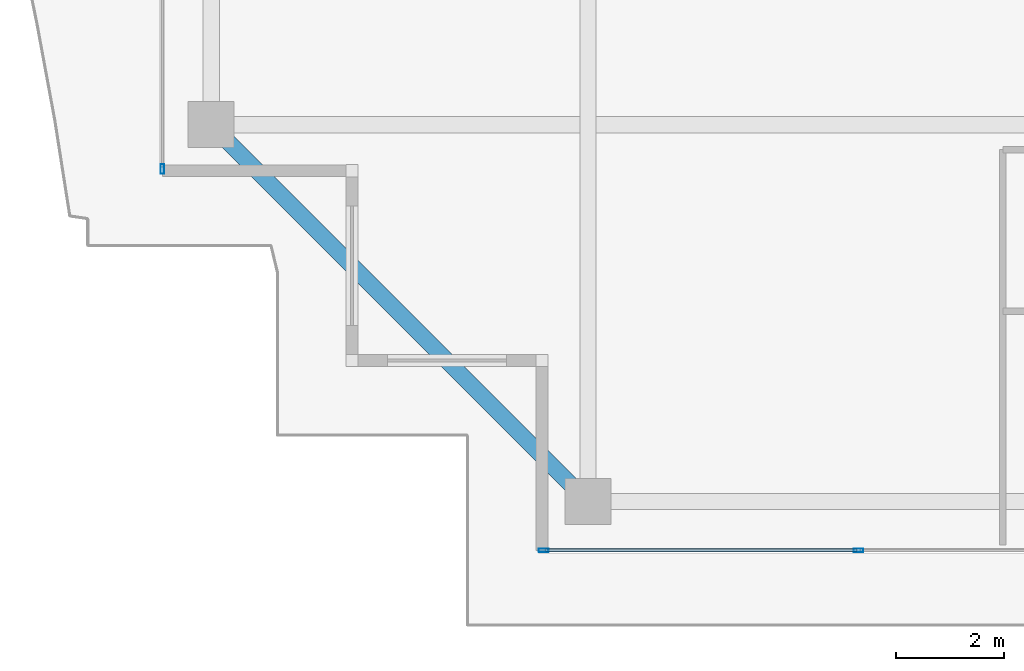
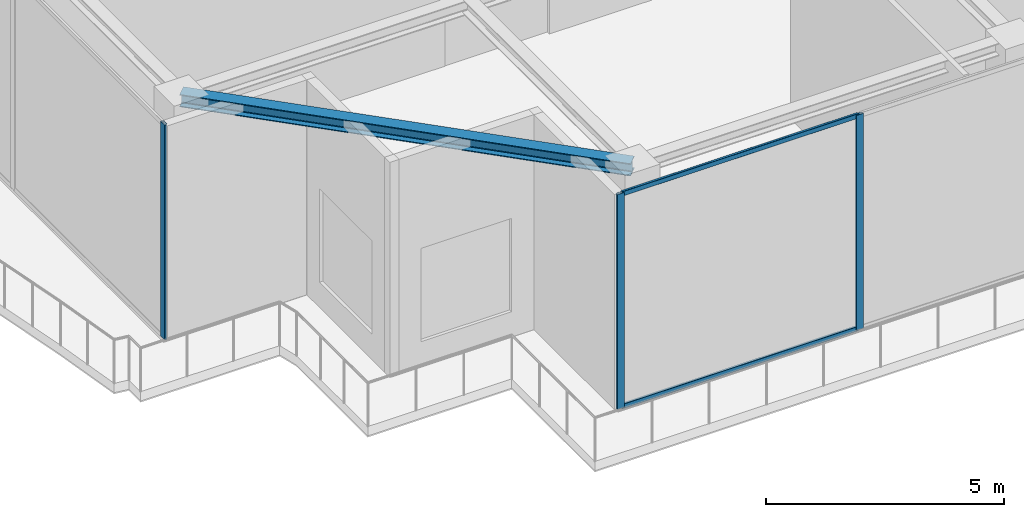
# One storey, part 2 of 38: 5 members, 1 beam, 2 elements without a shape of their own.
"""IFC4 building model written with IfcOpenShell, lengths in metres."""

import ifcopenshell
import ifcopenshell.guid

model = None  # the IFC model being written
_history = None  # IfcOwnerHistory: only IFC2X3 demands one
_inside = {}  # id of a spatial element -> (the spatial element, [elements in it])
_under = {}  # id of a project, library or spatial element -> (it, [spatial elements below it])
_declared = {}  # id of a project -> (the project, [libraries it declares])
_typed = {}  # id of a type object -> (the type object, [elements of that type])
_made_of = {}  # id of a material, layer set ... -> (it, [elements and type objects made of it])


def new_model(schema):
    """Start an empty IFC model of exactly this schema.

    Asked for "IFC4X3", IfcOpenShell would pick the latest addendum, in which some entities
    have other attributes; the version numbers below select the first issue.
    IFC2X3 requires an IfcOwnerHistory on every rooted entity: one is made here for all.
    """
    global model, _history
    if schema == "IFC4X3":
        model = ifcopenshell.file(schema_version=(4, 3, 0, 0))
    else:
        model = ifcopenshell.file(schema=schema)
    _inside.clear()
    _under.clear()
    _declared.clear()
    _typed.clear()
    _made_of.clear()
    _history = None
    if model.schema == "IFC2X3":
        org = make("IfcOrganization", Name="unknown")
        user = make(
            "IfcPersonAndOrganization",
            ThePerson=make("IfcPerson", FamilyName="unknown"),
            TheOrganization=org,
        )
        app = make(
            "IfcApplication",
            ApplicationDeveloper=org,
            Version="unknown",
            ApplicationFullName="unknown",
            ApplicationIdentifier="unknown",
        )
        _history = make(
            "IfcOwnerHistory",
            OwningUser=user,
            OwningApplication=app,
            ChangeAction="ADDED",
            CreationDate=0,
        )
    return model


def make(cls, **values):
    """One entity of the class cls with the attributes given. An attribute that is None is left unset."""
    return model.create_entity(
        cls, **{name: value for name, value in values.items() if value is not None}
    )


def rooted(cls, **values):
    """An entity with a GlobalId (a new one), such as an element, a storey or a relation."""
    return make(cls, GlobalId=ifcopenshell.guid.new(), OwnerHistory=_history, **values)


def si_unit(unit_type, name, prefix=None):
    """IfcSIUnit, for example si_unit("LENGTHUNIT", "METRE", prefix="MILLI")."""
    return make("IfcSIUnit", UnitType=unit_type, Prefix=prefix, Name=name)


def assignment(units):
    """IfcUnitAssignment: the units of a project."""
    return None if units is None else make("IfcUnitAssignment", Units=units)


def point(xyz):
    """IfcCartesianPoint."""
    return None if xyz is None else make("IfcCartesianPoint", Coordinates=xyz)


def direction(xyz):
    """IfcDirection."""
    return None if xyz is None else make("IfcDirection", DirectionRatios=xyz)


def frame(location, z_axis=None, x_axis=None):
    """IfcAxis2Placement3D, a coordinate frame: its origin and axes. An axis left out is left unset."""
    return make(
        "IfcAxis2Placement3D",
        Location=point(location),
        Axis=direction(z_axis),
        RefDirection=direction(x_axis),
    )


def frame_2d(location, x_axis=None):
    """IfcAxis2Placement2D, a coordinate frame in the plane: its origin and x axis."""
    return make(
        "IfcAxis2Placement2D", Location=point(location), RefDirection=direction(x_axis)
    )


def origin():
    """The frame at (0, 0, 0) with its axes left unset."""
    return frame((0.0, 0.0, 0.0))


def origin_2d():
    """The frame at (0, 0) in the plane with its x axis left unset."""
    return frame_2d((0.0, 0.0))


def place(relative_to, where):
    """IfcLocalPlacement: puts the frame where relative to a parent placement (None: the world)."""
    return make(
        "IfcLocalPlacement", PlacementRelTo=relative_to, RelativePlacement=where
    )


def context(
    kind, dimensions, precision=None, world=None, true_north=None, identifier=None
):
    """IfcGeometricRepresentationContext, for example the 3D "Model" context."""
    return make(
        "IfcGeometricRepresentationContext",
        ContextIdentifier=identifier,
        ContextType=kind,
        CoordinateSpaceDimension=dimensions,
        Precision=precision,
        WorldCoordinateSystem=world,
        TrueNorth=true_north,
    )


def subcontext(parent, identifier, kind, view, scale=None):
    """IfcGeometricRepresentationSubContext, for example "Body" below "Model"."""
    return make(
        "IfcGeometricRepresentationSubContext",
        ContextIdentifier=identifier,
        ContextType=kind,
        ParentContext=parent,
        TargetScale=scale,
        TargetView=view,
    )


def project(units=None, contexts=None):
    """IfcProject with its units and contexts."""
    return rooted(
        "IfcProject",
        Name="project",
        RepresentationContexts=contexts,
        UnitsInContext=assignment(units),
    )


def spatial(cls, under=None, at=None, **own):
    """A site, building, storey or space (cls), placed at a placement, below another one or the project."""
    s = rooted(cls, ObjectPlacement=at, **own)
    if under is not None:
        _under.setdefault(under.id(), (under, []))[1].append(s)
    return s


def profile(cls, at=None, kind="AREA", **sizes):
    """A parametric profile (cls). Its sizes go by their IFC names, for example OverallWidth=200.0."""
    return make(cls, ProfileType=kind, Position=at, **sizes)


def hollow_rectangle(**sizes):
    """IfcRectangleHollowProfileDef."""
    return profile("IfcRectangleHollowProfileDef", **sizes)


def i_section(**sizes):
    """IfcIShapeProfileDef."""
    return profile("IfcIShapeProfileDef", **sizes)


def extrude(swept, where, along, depth):
    """IfcExtrudedAreaSolid: the profile swept, set in the frame where, extruded along a direction by depth."""
    return make(
        "IfcExtrudedAreaSolid",
        SweptArea=swept,
        Position=where,
        ExtrudedDirection=direction(along),
        Depth=depth,
    )


def shape(context_of_items, identifier, shape_type, items):
    """IfcShapeRepresentation: the items that make up one representation, for example the "Body"."""
    return make(
        "IfcShapeRepresentation",
        ContextOfItems=context_of_items,
        RepresentationIdentifier=identifier,
        RepresentationType=shape_type,
        Items=items,
    )


def source(mapping_origin, context_of_items, identifier, shape_type, items):
    """IfcRepresentationMap: a shape defined once, which mapped items show again and again."""
    return make(
        "IfcRepresentationMap",
        MappingOrigin=mapping_origin,
        MappedRepresentation=shape(context_of_items, identifier, shape_type, items),
    )


def transform(
    local_origin,
    x_axis=None,
    y_axis=None,
    z_axis=None,
    scale=None,
    scale2=None,
    scale3=None,
    uniform=True,
):
    """IfcCartesianTransformationOperator3D, or its non-uniform kind. x_axis, y_axis, z_axis: its Axis1, 2, 3."""
    if uniform:
        return make(
            "IfcCartesianTransformationOperator3D",
            Axis1=direction(x_axis),
            Axis2=direction(y_axis),
            LocalOrigin=point(local_origin),
            Scale=scale,
            Axis3=direction(z_axis),
        )
    return make(
        "IfcCartesianTransformationOperator3DnonUniform",
        Axis1=direction(x_axis),
        Axis2=direction(y_axis),
        LocalOrigin=point(local_origin),
        Scale=scale,
        Axis3=direction(z_axis),
        Scale2=scale2,
        Scale3=scale3,
    )


def mapped(mapping_source, mapping_target):
    """IfcMappedItem: shows the shape of a source again, moved by a transform."""
    return make(
        "IfcMappedItem", MappingSource=mapping_source, MappingTarget=mapping_target
    )


def material(Name=None, Category=None):
    """IfcMaterial."""
    return make("IfcMaterial", Name=Name, Category=Category)


def layer(
    of_material, thickness, ventilated=None, Name=None, Category=None, Priority=None
):
    """IfcMaterialLayer: one layer of a wall or slab, of a material (None: an air gap)."""
    return make(
        "IfcMaterialLayer",
        Material=of_material,
        LayerThickness=thickness,
        IsVentilated=ventilated,
        Name=Name,
        Category=Category,
        Priority=Priority,
    )


def layer_set(layers, Name=None):
    """IfcMaterialLayerSet."""
    return make("IfcMaterialLayerSet", MaterialLayers=layers, LayerSetName=Name)


def material_profile(
    of_material, cross_section, Name=None, Category=None, Priority=None
):
    """IfcMaterialProfile: a cross section and its material."""
    return make(
        "IfcMaterialProfile",
        Name=Name,
        Material=of_material,
        Profile=cross_section,
        Priority=Priority,
        Category=Category,
    )


def profile_set(profiles, Name=None, composite=None):
    """IfcMaterialProfileSet."""
    return make(
        "IfcMaterialProfileSet",
        Name=Name,
        MaterialProfiles=profiles,
        CompositeProfile=composite,
    )


def made_of(thing, what):
    """Note that an element or type object is made of a material, layer set ...; save() writes the relation."""
    if what is not None:
        _made_of.setdefault(what.id(), (what, []))[1].append(thing)
    return thing


def type_object(cls, material=None, **own):
    """A type object (cls), such as IfcWallType, which elements share."""
    return made_of(rooted(cls, **own), material)


def element(
    cls,
    number,
    at=None,
    inside=None,
    cuts=None,
    type_object=None,
    material=None,
    context=None,
    identifier="Body",
    shape_type=None,
    held_by="IfcProductDefinitionShape",
    body=None,
    shapes=None,
    **own,
):
    """One element of the class cls, such as IfcWall. Its Tag is "e" and its number.

    at: its placement. inside: the storey or other place that contains it. cuts: it is an
    opening in that element (IfcRelVoidsElement). A single representation is given by context,
    identifier, shape_type and body (its items); several are given by shapes. held_by: the class
    of the entity that holds the representations. save() writes the other relations.
    """
    e = rooted(cls, Tag="e%d" % number, ObjectPlacement=at, **own)
    if body is not None:
        shapes = [shape(context, identifier, shape_type, body)]
    if shapes is not None:
        e.Representation = make(held_by, Representations=shapes)
    if inside is not None:
        _inside.setdefault(inside.id(), (inside, []))[1].append(e)
    if cuts is not None:
        rooted(
            "IfcRelVoidsElement", RelatingBuildingElement=cuts, RelatedOpeningElement=e
        )
    if type_object is not None:
        _typed.setdefault(type_object.id(), (type_object, []))[1].append(e)
    return made_of(e, material)


def aggregate(whole, parts):
    """IfcRelAggregates: a whole, such as a stair, and the parts it consists of."""
    return rooted("IfcRelAggregates", RelatingObject=whole, RelatedObjects=parts)


def save(model, path):
    """Write the relations noted so far, then the file.

    IfcRelAggregates (storeys below a building ...), IfcRelContainedInSpatialStructure (elements
    in a storey), IfcRelDefinesByType, IfcRelAssociatesMaterial and IfcRelDeclares: one each for
    every whole, place, type object, material and project.
    """
    for whole, parts in _under.values():
        aggregate(whole, parts)
    for where, things in _inside.values():
        rooted(
            "IfcRelContainedInSpatialStructure",
            RelatedElements=things,
            RelatingStructure=where,
        )
    for kind, things in _typed.values():
        rooted("IfcRelDefinesByType", RelatedObjects=things, RelatingType=kind)
    for what, things in _made_of.values():
        rooted("IfcRelAssociatesMaterial", RelatedObjects=things, RelatingMaterial=what)
    for by, libraries in _declared.values():
        rooted("IfcRelDeclares", RelatingContext=by, RelatedDefinitions=libraries)
    model.write(path)


model = new_model("IFC4")

# Units and contexts
model_context = context("Model", 3, precision=1e-05, world=origin(), true_north=direction((0.0, 1.0)))
body_context = subcontext(model_context, "Body", "Model", "MODEL_VIEW")
ifc_project = project(units=[si_unit("LENGTHUNIT", "METRE"), si_unit("AREAUNIT", "SQUARE_METRE"), si_unit("VOLUMEUNIT", "CUBIC_METRE"), si_unit("PLANEANGLEUNIT", "RADIAN"), si_unit("MASSUNIT", "GRAM", prefix="KILO")], contexts=[model_context])

# Site, building, storey
site_placement = place(None, origin())
site = spatial("IfcSite", under=ifc_project, at=site_placement, CompositionType="ELEMENT")
building_placement = place(site_placement, origin())
building = spatial("IfcBuilding", under=site, at=building_placement, Name="Serunith Strait Residences", CompositionType="ELEMENT")
storey_placement = place(building_placement, frame((0.0, 0.0, 353.85009765625)))
storey = spatial("IfcBuildingStorey", under=building, at=storey_placement, Name="L87", CompositionType="ELEMENT", Elevation=353.85009765625)

# Beam
ifc_material_1 = material(Name="Steel S355J2", Category="steel")
ifc_material_profile_1 = material_profile(ifc_material_1, i_section(OverallWidth=0.300048828125, OverallDepth=0.320068359375, WebThickness=0.011474609375, FlangeThickness=0.0205078125, FilletRadius=0.027099609375, at=origin_2d()), Name="HEB 320")
ifc_profile_set_1 = profile_set([ifc_material_profile_1], Name="Steel S355J2")
beam_type = type_object("IfcBeamType", Name="BM-HEB320", PredefinedType="BEAM", material=ifc_profile_set_1)
shared_shape_1 = source(origin(), body_context, "Body", "SweptSolid", [
    extrude(i_section(OverallWidth=0.300048828125, OverallDepth=0.320068359375, WebThickness=0.011474609375, FlangeThickness=0.0205078125, FilletRadius=0.027099609375, at=origin_2d()), origin(), (0.0, 0.0, 1.0), 9.828857421875),
])
beam_placement = place(storey_placement, frame((11.699951171875, 11.85009765625, 5.376953125), z_axis=(0.707094361533, -0.707119200622, 0.0), x_axis=(0.707119200622, 0.707094361533, 0.0)))
element("IfcBeam", 1, at=beam_placement, inside=storey, type_object=beam_type, Name="L87 Perimeter Ring Beam 16", PredefinedType="BEAM", context=body_context, shape_type="MappedRepresentation", body=[
    mapped(shared_shape_1, transform((0.0, 0.0, 0.0), scale=1.0)),
])

# Curtain wall, members
ifc_material_2 = material(Name="Brushed Stainless-Silver Aluminium", Category="aluminium")
ifc_layer = layer(ifc_material_2, 0.199951171875, Name="Brushed Stainless-Silver Aluminium")
ifc_layer_set = layer_set([ifc_layer], Name="Brushed Stainless-Silver Aluminium")
curtain_wall_type = type_object("IfcCurtainWallType", Name="CW-SYS5", PredefinedType="NOTDEFINED", material=ifc_layer_set)
curtain_wall_1_placement = place(storey_placement, origin())
curtain_wall_1 = element("IfcCurtainWall", 2, at=curtain_wall_1_placement, inside=storey, type_object=curtain_wall_type, Name="L87 S Unitised Fritted Curtain Wall", PredefinedType="NOTDEFINED")
ifc_material_profile_2 = material_profile(ifc_material_2, hollow_rectangle(XDim=0.06005859375, YDim=0.1201171875, WallThickness=0.00341796875, InnerFilletRadius=0.00537109375, OuterFilletRadius=0.0087890625, at=origin_2d()), Name="ALU 120x60x3.5")
ifc_profile_set_2 = profile_set([ifc_material_profile_2], Name="Brushed Stainless-Silver Aluminium")
member_type_1 = type_object("IfcMemberType", Name="CW-SYS5-TRAN", PredefinedType="USERDEFINED", material=ifc_profile_set_2)
shared_shape_2 = source(origin(), body_context, "Body", "SweptSolid", [
    extrude(hollow_rectangle(XDim=0.06005859375, YDim=0.1201171875, WallThickness=0.00341796875, InnerFilletRadius=0.00537109375, OuterFilletRadius=0.0087890625, at=origin_2d()), origin(), (0.0, 0.0, 1.0), 5.742431640625),
])
member_1_placement = place(storey_placement, frame((17.864990234375, 4.0, 0.02978515625), z_axis=(1.0, 0.0, 0.0), x_axis=(0.0, 1.0, 0.0)))
member_1 = element("IfcMember", 3, at=member_1_placement, type_object=member_type_1, Name="CW-5 transom 1.1", ObjectType="TRANSOM", PredefinedType="USERDEFINED", context=body_context, shape_type="MappedRepresentation", body=[
    mapped(shared_shape_2, transform((0.0, 0.0, 0.0), scale=1.0)),
])
member_2_placement = place(storey_placement, frame((17.864990234375, 4.0, 5.494873046875), z_axis=(1.0, 0.0, 0.0), x_axis=(0.0, 1.0, 0.0)))
member_2 = element("IfcMember", 4, at=member_2_placement, type_object=member_type_1, Name="CW-5 transom 1.2", ObjectType="TRANSOM", PredefinedType="USERDEFINED", context=body_context, shape_type="MappedRepresentation", body=[
    mapped(shared_shape_2, transform((0.0, 0.0, 0.0), scale=1.0)),
])
ifc_material_profile_3 = material_profile(ifc_material_2, hollow_rectangle(XDim=0.06494140625, YDim=0.179931640625, WallThickness=0.00341796875, InnerFilletRadius=0.00537109375, OuterFilletRadius=0.0087890625, at=origin_2d()), Name="ALU 180x65x3.5")
ifc_profile_set_3 = profile_set([ifc_material_profile_3], Name="Brushed Stainless-Silver Aluminium")
member_type_2 = type_object("IfcMemberType", Name="CW-SYS5-MULL", PredefinedType="MULLION", material=ifc_profile_set_3)
shared_shape_3 = source(origin(), body_context, "Body", "SweptSolid", [
    extrude(hollow_rectangle(XDim=0.06494140625, YDim=0.179931640625, WallThickness=0.00341796875, InnerFilletRadius=0.00537109375, OuterFilletRadius=0.0087890625, at=origin_2d()), origin(), (0.0, 0.0, 1.0), 5.52490234375),
])
member_3_placement = place(storey_placement, frame((17.83251953125, 4.0, 0.0), z_axis=(0.0, 0.0, 1.0), x_axis=(0.0, 1.0, 0.0)))
member_3 = element("IfcMember", 5, at=member_3_placement, type_object=member_type_2, Name="CW-5 mullion 1", PredefinedType="MULLION", context=body_context, shape_type="MappedRepresentation", body=[
    mapped(shared_shape_3, transform((0.0, 0.0, 0.0), scale=1.0)),
])
member_4_placement = place(storey_placement, frame((23.639892578125, 4.0, 0.0), z_axis=(0.0, 0.0, 1.0), x_axis=(0.0, 1.0, 0.0)))
member_4 = element("IfcMember", 6, at=member_4_placement, type_object=member_type_2, Name="CW-5 mullion 2", PredefinedType="MULLION", context=body_context, shape_type="MappedRepresentation", body=[
    mapped(shared_shape_3, transform((0.0, 0.0, 0.0), scale=1.0)),
])
aggregate(curtain_wall_1, [member_3, member_4, member_1, member_2])

# Curtain wall, member
curtain_wall_2_placement = place(storey_placement, origin())
curtain_wall_2 = element("IfcCurtainWall", 7, at=curtain_wall_2_placement, inside=storey, type_object=curtain_wall_type, Name="L87 W Unitised Fritted Curtain Wall", PredefinedType="NOTDEFINED")
member_5_placement = place(storey_placement, frame((10.800048828125, 11.032470703125, 0.0), z_axis=(0.0, 0.0, 1.0), x_axis=(1.0, 0.0, 0.0)))
member_5 = element("IfcMember", 8, at=member_5_placement, type_object=member_type_2, Name="CW-5 mullion 3", PredefinedType="MULLION", context=body_context, shape_type="MappedRepresentation", body=[
    mapped(shared_shape_3, transform((0.0, 0.0, 0.0), scale=1.0)),
])
aggregate(curtain_wall_2, [member_5])

save(model, "model.ifc")
